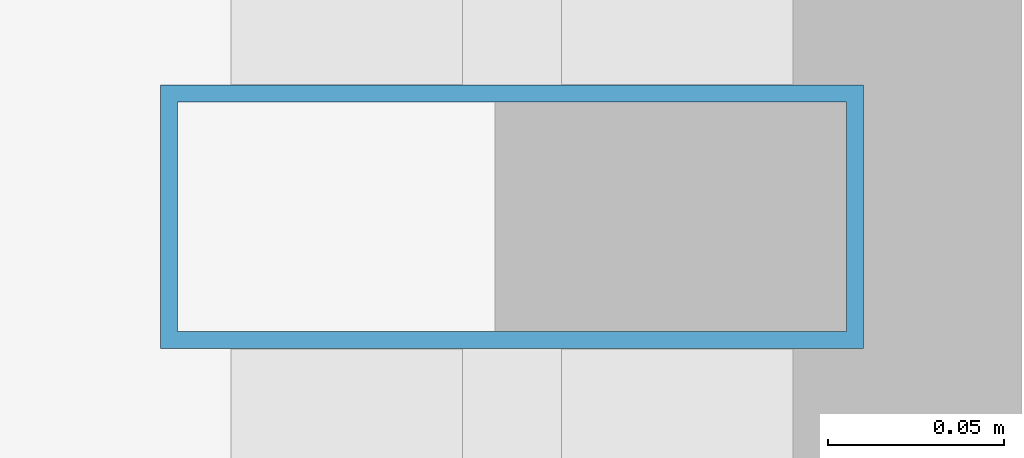
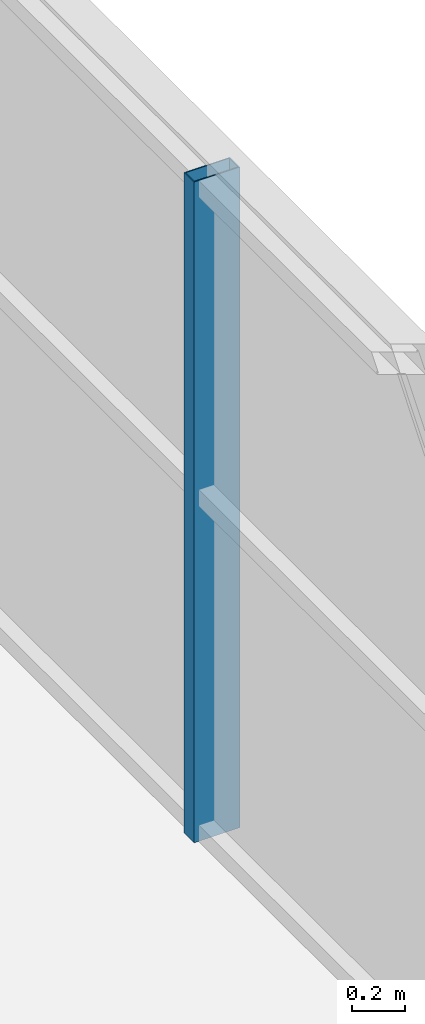
# One storey, part 17 of 31: 1 member, 1 element without a shape of its own.
"""IFC4 building model written with IfcOpenShell, lengths in metres."""

import ifcopenshell
import ifcopenshell.guid

model = None  # the IFC model being written
_history = None  # IfcOwnerHistory: only IFC2X3 demands one
_inside = {}  # id of a spatial element -> (the spatial element, [elements in it])
_under = {}  # id of a project, library or spatial element -> (it, [spatial elements below it])
_declared = {}  # id of a project -> (the project, [libraries it declares])
_typed = {}  # id of a type object -> (the type object, [elements of that type])
_made_of = {}  # id of a material, layer set ... -> (it, [elements and type objects made of it])


def new_model(schema):
    """Start an empty IFC model of exactly this schema.

    Asked for "IFC4X3", IfcOpenShell would pick the latest addendum, in which some entities
    have other attributes; the version numbers below select the first issue.
    IFC2X3 requires an IfcOwnerHistory on every rooted entity: one is made here for all.
    """
    global model, _history
    if schema == "IFC4X3":
        model = ifcopenshell.file(schema_version=(4, 3, 0, 0))
    else:
        model = ifcopenshell.file(schema=schema)
    _inside.clear()
    _under.clear()
    _declared.clear()
    _typed.clear()
    _made_of.clear()
    _history = None
    if model.schema == "IFC2X3":
        org = make("IfcOrganization", Name="unknown")
        user = make(
            "IfcPersonAndOrganization",
            ThePerson=make("IfcPerson", FamilyName="unknown"),
            TheOrganization=org,
        )
        app = make(
            "IfcApplication",
            ApplicationDeveloper=org,
            Version="unknown",
            ApplicationFullName="unknown",
            ApplicationIdentifier="unknown",
        )
        _history = make(
            "IfcOwnerHistory",
            OwningUser=user,
            OwningApplication=app,
            ChangeAction="ADDED",
            CreationDate=0,
        )
    return model


def make(cls, **values):
    """One entity of the class cls with the attributes given. An attribute that is None is left unset."""
    return model.create_entity(
        cls, **{name: value for name, value in values.items() if value is not None}
    )


def rooted(cls, **values):
    """An entity with a GlobalId (a new one), such as an element, a storey or a relation."""
    return make(cls, GlobalId=ifcopenshell.guid.new(), OwnerHistory=_history, **values)


def si_unit(unit_type, name, prefix=None):
    """IfcSIUnit, for example si_unit("LENGTHUNIT", "METRE", prefix="MILLI")."""
    return make("IfcSIUnit", UnitType=unit_type, Prefix=prefix, Name=name)


def assignment(units):
    """IfcUnitAssignment: the units of a project."""
    return None if units is None else make("IfcUnitAssignment", Units=units)


def point(xyz):
    """IfcCartesianPoint."""
    return None if xyz is None else make("IfcCartesianPoint", Coordinates=xyz)


def direction(xyz):
    """IfcDirection."""
    return None if xyz is None else make("IfcDirection", DirectionRatios=xyz)


def frame(location, z_axis=None, x_axis=None):
    """IfcAxis2Placement3D, a coordinate frame: its origin and axes. An axis left out is left unset."""
    return make(
        "IfcAxis2Placement3D",
        Location=point(location),
        Axis=direction(z_axis),
        RefDirection=direction(x_axis),
    )


def frame_2d(location, x_axis=None):
    """IfcAxis2Placement2D, a coordinate frame in the plane: its origin and x axis."""
    return make(
        "IfcAxis2Placement2D", Location=point(location), RefDirection=direction(x_axis)
    )


def origin():
    """The frame at (0, 0, 0) with its axes left unset."""
    return frame((0.0, 0.0, 0.0))


def origin_2d():
    """The frame at (0, 0) in the plane with its x axis left unset."""
    return frame_2d((0.0, 0.0))


def place(relative_to, where):
    """IfcLocalPlacement: puts the frame where relative to a parent placement (None: the world)."""
    return make(
        "IfcLocalPlacement", PlacementRelTo=relative_to, RelativePlacement=where
    )


def context(
    kind, dimensions, precision=None, world=None, true_north=None, identifier=None
):
    """IfcGeometricRepresentationContext, for example the 3D "Model" context."""
    return make(
        "IfcGeometricRepresentationContext",
        ContextIdentifier=identifier,
        ContextType=kind,
        CoordinateSpaceDimension=dimensions,
        Precision=precision,
        WorldCoordinateSystem=world,
        TrueNorth=true_north,
    )


def subcontext(parent, identifier, kind, view, scale=None):
    """IfcGeometricRepresentationSubContext, for example "Body" below "Model"."""
    return make(
        "IfcGeometricRepresentationSubContext",
        ContextIdentifier=identifier,
        ContextType=kind,
        ParentContext=parent,
        TargetScale=scale,
        TargetView=view,
    )


def project(units=None, contexts=None):
    """IfcProject with its units and contexts."""
    return rooted(
        "IfcProject",
        Name="project",
        RepresentationContexts=contexts,
        UnitsInContext=assignment(units),
    )


def spatial(cls, under=None, at=None, **own):
    """A site, building, storey or space (cls), placed at a placement, below another one or the project."""
    s = rooted(cls, ObjectPlacement=at, **own)
    if under is not None:
        _under.setdefault(under.id(), (under, []))[1].append(s)
    return s


def profile(cls, at=None, kind="AREA", **sizes):
    """A parametric profile (cls). Its sizes go by their IFC names, for example OverallWidth=200.0."""
    return make(cls, ProfileType=kind, Position=at, **sizes)


def hollow_rectangle(**sizes):
    """IfcRectangleHollowProfileDef."""
    return profile("IfcRectangleHollowProfileDef", **sizes)


def extrude(swept, where, along, depth):
    """IfcExtrudedAreaSolid: the profile swept, set in the frame where, extruded along a direction by depth."""
    return make(
        "IfcExtrudedAreaSolid",
        SweptArea=swept,
        Position=where,
        ExtrudedDirection=direction(along),
        Depth=depth,
    )


def shape(context_of_items, identifier, shape_type, items):
    """IfcShapeRepresentation: the items that make up one representation, for example the "Body"."""
    return make(
        "IfcShapeRepresentation",
        ContextOfItems=context_of_items,
        RepresentationIdentifier=identifier,
        RepresentationType=shape_type,
        Items=items,
    )


def source(mapping_origin, context_of_items, identifier, shape_type, items):
    """IfcRepresentationMap: a shape defined once, which mapped items show again and again."""
    return make(
        "IfcRepresentationMap",
        MappingOrigin=mapping_origin,
        MappedRepresentation=shape(context_of_items, identifier, shape_type, items),
    )


def transform(
    local_origin,
    x_axis=None,
    y_axis=None,
    z_axis=None,
    scale=None,
    scale2=None,
    scale3=None,
    uniform=True,
):
    """IfcCartesianTransformationOperator3D, or its non-uniform kind. x_axis, y_axis, z_axis: its Axis1, 2, 3."""
    if uniform:
        return make(
            "IfcCartesianTransformationOperator3D",
            Axis1=direction(x_axis),
            Axis2=direction(y_axis),
            LocalOrigin=point(local_origin),
            Scale=scale,
            Axis3=direction(z_axis),
        )
    return make(
        "IfcCartesianTransformationOperator3DnonUniform",
        Axis1=direction(x_axis),
        Axis2=direction(y_axis),
        LocalOrigin=point(local_origin),
        Scale=scale,
        Axis3=direction(z_axis),
        Scale2=scale2,
        Scale3=scale3,
    )


def mapped(mapping_source, mapping_target):
    """IfcMappedItem: shows the shape of a source again, moved by a transform."""
    return make(
        "IfcMappedItem", MappingSource=mapping_source, MappingTarget=mapping_target
    )


def material(Name=None, Category=None):
    """IfcMaterial."""
    return make("IfcMaterial", Name=Name, Category=Category)


def layer(
    of_material, thickness, ventilated=None, Name=None, Category=None, Priority=None
):
    """IfcMaterialLayer: one layer of a wall or slab, of a material (None: an air gap)."""
    return make(
        "IfcMaterialLayer",
        Material=of_material,
        LayerThickness=thickness,
        IsVentilated=ventilated,
        Name=Name,
        Category=Category,
        Priority=Priority,
    )


def layer_set(layers, Name=None):
    """IfcMaterialLayerSet."""
    return make("IfcMaterialLayerSet", MaterialLayers=layers, LayerSetName=Name)


def material_profile(
    of_material, cross_section, Name=None, Category=None, Priority=None
):
    """IfcMaterialProfile: a cross section and its material."""
    return make(
        "IfcMaterialProfile",
        Name=Name,
        Material=of_material,
        Profile=cross_section,
        Priority=Priority,
        Category=Category,
    )


def profile_set(profiles, Name=None, composite=None):
    """IfcMaterialProfileSet."""
    return make(
        "IfcMaterialProfileSet",
        Name=Name,
        MaterialProfiles=profiles,
        CompositeProfile=composite,
    )


def made_of(thing, what):
    """Note that an element or type object is made of a material, layer set ...; save() writes the relation."""
    if what is not None:
        _made_of.setdefault(what.id(), (what, []))[1].append(thing)
    return thing


def type_object(cls, material=None, **own):
    """A type object (cls), such as IfcWallType, which elements share."""
    return made_of(rooted(cls, **own), material)


def element(
    cls,
    number,
    at=None,
    inside=None,
    cuts=None,
    type_object=None,
    material=None,
    context=None,
    identifier="Body",
    shape_type=None,
    held_by="IfcProductDefinitionShape",
    body=None,
    shapes=None,
    **own,
):
    """One element of the class cls, such as IfcWall. Its Tag is "e" and its number.

    at: its placement. inside: the storey or other place that contains it. cuts: it is an
    opening in that element (IfcRelVoidsElement). A single representation is given by context,
    identifier, shape_type and body (its items); several are given by shapes. held_by: the class
    of the entity that holds the representations. save() writes the other relations.
    """
    e = rooted(cls, Tag="e%d" % number, ObjectPlacement=at, **own)
    if body is not None:
        shapes = [shape(context, identifier, shape_type, body)]
    if shapes is not None:
        e.Representation = make(held_by, Representations=shapes)
    if inside is not None:
        _inside.setdefault(inside.id(), (inside, []))[1].append(e)
    if cuts is not None:
        rooted(
            "IfcRelVoidsElement", RelatingBuildingElement=cuts, RelatedOpeningElement=e
        )
    if type_object is not None:
        _typed.setdefault(type_object.id(), (type_object, []))[1].append(e)
    return made_of(e, material)


def aggregate(whole, parts):
    """IfcRelAggregates: a whole, such as a stair, and the parts it consists of."""
    return rooted("IfcRelAggregates", RelatingObject=whole, RelatedObjects=parts)


def save(model, path):
    """Write the relations noted so far, then the file.

    IfcRelAggregates (storeys below a building ...), IfcRelContainedInSpatialStructure (elements
    in a storey), IfcRelDefinesByType, IfcRelAssociatesMaterial and IfcRelDeclares: one each for
    every whole, place, type object, material and project.
    """
    for whole, parts in _under.values():
        aggregate(whole, parts)
    for where, things in _inside.values():
        rooted(
            "IfcRelContainedInSpatialStructure",
            RelatedElements=things,
            RelatingStructure=where,
        )
    for kind, things in _typed.values():
        rooted("IfcRelDefinesByType", RelatedObjects=things, RelatingType=kind)
    for what, things in _made_of.values():
        rooted("IfcRelAssociatesMaterial", RelatedObjects=things, RelatingMaterial=what)
    for by, libraries in _declared.values():
        rooted("IfcRelDeclares", RelatingContext=by, RelatedDefinitions=libraries)
    model.write(path)


model = new_model("IFC4")

# Units and contexts
model_context = context("Model", 3, precision=1e-05, world=origin(), true_north=direction((0.0, 1.0)))
body_context = subcontext(model_context, "Body", "Model", "MODEL_VIEW")
ifc_project = project(units=[si_unit("LENGTHUNIT", "METRE"), si_unit("AREAUNIT", "SQUARE_METRE"), si_unit("VOLUMEUNIT", "CUBIC_METRE"), si_unit("PLANEANGLEUNIT", "RADIAN"), si_unit("MASSUNIT", "GRAM", prefix="KILO")], contexts=[model_context])

# Site, building, storey
site_placement = place(None, origin())
site = spatial("IfcSite", under=ifc_project, at=site_placement, CompositionType="ELEMENT")
building_placement = place(site_placement, origin())
building = spatial("IfcBuilding", under=site, at=building_placement, Name="Zarnakvel Exchange Tower", CompositionType="ELEMENT")
storey_placement = place(building_placement, frame((0.0, 0.0, 53.800048828125)))
storey = spatial("IfcBuildingStorey", under=building, at=storey_placement, Name="L14", CompositionType="ELEMENT", Elevation=53.800048828125)

# Curtain wall, member
ifc_material = material(Name="Architectural Bronze Anodised Aluminium", Category="aluminium")
ifc_layer = layer(ifc_material, 0.199951171875)
ifc_layer_set = layer_set([ifc_layer], Name="Architectural Bronze Anodised Aluminium")
curtain_wall_type = type_object("IfcCurtainWallType", Name="CW-04", PredefinedType="NOTDEFINED", material=ifc_layer_set)
curtain_wall_placement = place(storey_placement, origin())
curtain_wall = element("IfcCurtainWall", 1, at=curtain_wall_placement, inside=storey, type_object=curtain_wall_type, Name="L14 Curtain Wall CW-L14-E1 (CW-04)", PredefinedType="NOTDEFINED")
ifc_material_profile = material_profile(ifc_material, hollow_rectangle(XDim=0.199951171875, YDim=0.074951171875, WallThickness=0.0048828125, at=origin_2d()))
ifc_profile_set = profile_set([ifc_material_profile], Name="Architectural Bronze Anodised Aluminium")
member_type = type_object("IfcMemberType", Name="CWM-04", PredefinedType="MULLION", material=ifc_profile_set)
shared_shape = source(origin(), body_context, "Body", "SweptSolid", [
    extrude(hollow_rectangle(XDim=0.199951171875, YDim=0.074951171875, WallThickness=0.0048828125, at=origin_2d()), origin(), (0.0, 0.0, 1.0), 3.054931640625),
])
member_placement = place(storey_placement, frame((32.4599609375, 7.5, 0.0), z_axis=(0.0, 0.0, 1.0), x_axis=(-1.0, 0.0, 0.0)))
member = element("IfcMember", 2, at=member_placement, type_object=member_type, Name="CW-04 mullion 4", PredefinedType="MULLION", context=body_context, shape_type="MappedRepresentation", body=[
    mapped(shared_shape, transform((0.0, 0.0, 0.0), x_axis=(1.0, 0.0, 0.0), y_axis=(0.0, 1.0, 0.0), z_axis=(0.0, 0.0, 1.0), scale=1.0)),
])
aggregate(curtain_wall, [member])

save(model, "model.ifc")
